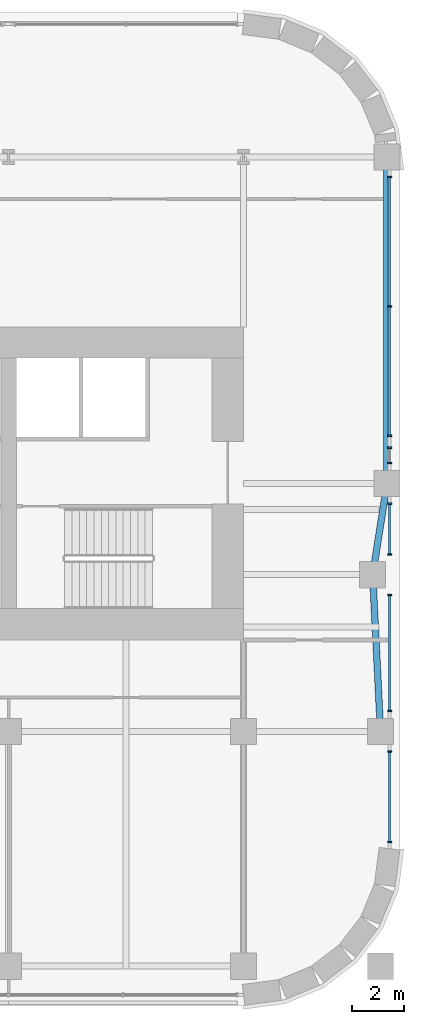
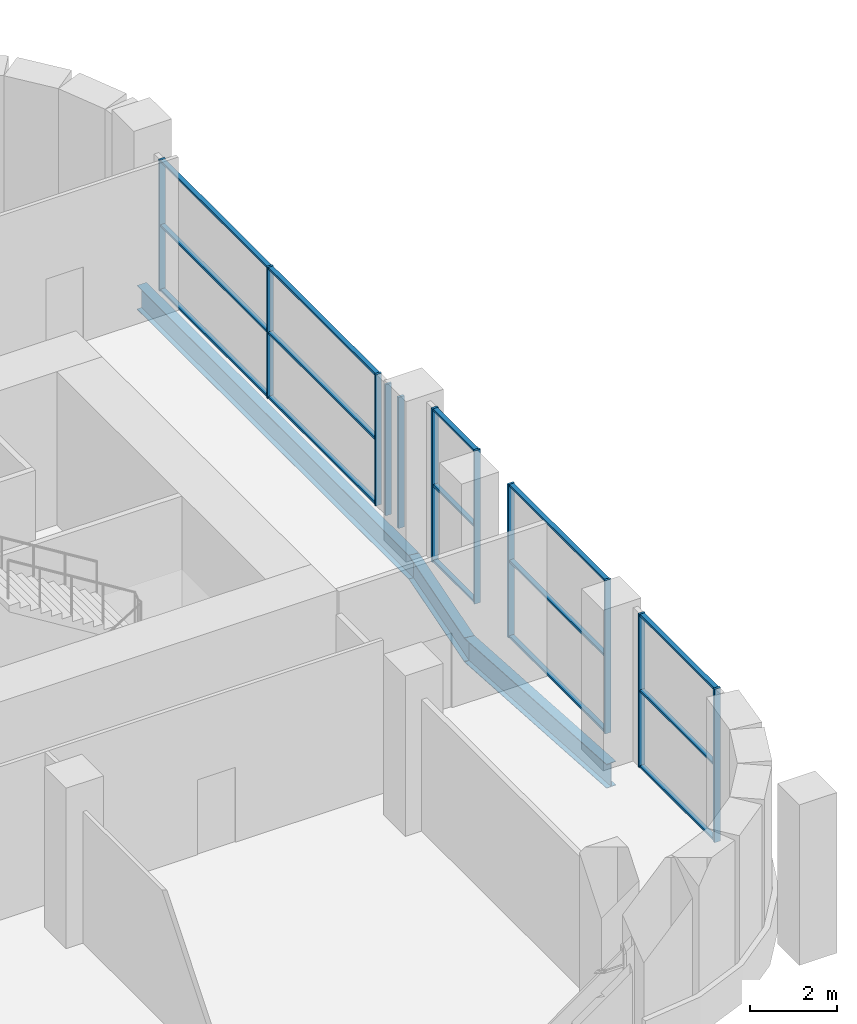
# One storey, part 12 of 24: 26 members, 3 beams, 5 elements without a shape of their own.
"""IFC4 building model written with IfcOpenShell, lengths in metres."""

from ifc_helpers import new_model, si_unit, direction, frame, origin, origin_2d, place, context, subcontext, project, spatial, rectangle, i_section, extrude, material, material_profile, profile_set, type_object, element, aggregate, save


model = new_model("IFC4")

# Units and contexts
model_context = context("Model", 3, precision=1e-05, world=origin(), true_north=direction((0.0, 1.0)))
body_context = subcontext(model_context, "Body", "Model", "MODEL_VIEW")
ifc_project = project(units=[si_unit("LENGTHUNIT", "METRE"), si_unit("AREAUNIT", "SQUARE_METRE"), si_unit("VOLUMEUNIT", "CUBIC_METRE"), si_unit("PLANEANGLEUNIT", "RADIAN"), si_unit("MASSUNIT", "GRAM", prefix="KILO")], contexts=[model_context])

# Site, building, storey
site_placement = place(None, origin())
site = spatial("IfcSite", under=ifc_project, at=site_placement, CompositionType="ELEMENT")
building_placement = place(site_placement, origin())
building = spatial("IfcBuilding", under=site, at=building_placement, Name="Zellij Exchange Tower", CompositionType="ELEMENT")
storey_placement = place(building_placement, frame((0.0, 0.0, 48.0)))
storey = spatial("IfcBuildingStorey", under=building, at=storey_placement, Name="L08", CompositionType="ELEMENT", Elevation=48.0)

# Curtain wall, members
ifc_material_1 = material(Name="Aluminium frame, clear insulating glass", Category="aluminium")
curtain_wall_type = type_object("IfcCurtainWallType", Name="ENV-CW1 Sky-garden glazing", PredefinedType="NOTDEFINED", material=ifc_material_1)
curtain_wall_1_placement = place(storey_placement, origin())
curtain_wall_1 = element("IfcCurtainWall", 1, at=curtain_wall_1_placement, inside=storey, type_object=curtain_wall_type, Name="cw.L08.07a", PredefinedType="NOTDEFINED")
ifc_material_2 = material(Name="Aluminium", Category="aluminium")
ifc_material_profile_1 = material_profile(ifc_material_2, rectangle(XDim=0.06005859375, YDim=0.159912109375, at=origin_2d()), Name="AL 60x160")
ifc_profile_set_1 = profile_set([ifc_material_profile_1], Name="Aluminium")
member_type_1 = type_object("IfcMemberType", Name="ENV-CW1M Mullion 60x160", PredefinedType="MULLION", material=ifc_profile_set_1)
member_1_placement = place(storey_placement, frame((32.60009765625, -21.743896484375, 0.0), z_axis=(0.0, 0.0, 1.0), x_axis=(0.0, 1.0, 0.0)))
member_1 = element("IfcMember", 2, at=member_1_placement, type_object=member_type_1, Name="CW1 mullion 1", PredefinedType="MULLION", context=body_context, shape_type="SweptSolid", body=[
    extrude(rectangle(XDim=0.06005859375, YDim=0.159912109375, at=origin_2d()), origin(), (0.0, 0.0, 1.0), 4.300048828125),
])
member_2_placement = place(storey_placement, frame((32.60009765625, -18.280029296875, 0.0), z_axis=(0.0, 0.0, 1.0), x_axis=(0.0, 1.0, 0.0)))
member_2 = element("IfcMember", 3, at=member_2_placement, type_object=member_type_1, Name="CW1 mullion 2", PredefinedType="MULLION", context=body_context, shape_type="SweptSolid", body=[
    extrude(rectangle(XDim=0.06005859375, YDim=0.159912109375, at=origin_2d()), origin(), (0.0, 0.0, 1.0), 4.300048828125),
])

curtain_wall_2_placement = place(storey_placement, origin())
curtain_wall_2 = element("IfcCurtainWall", 4, at=curtain_wall_2_placement, inside=storey, type_object=curtain_wall_type, Name="cw.L08.07b", PredefinedType="NOTDEFINED")
member_3_placement = place(storey_placement, frame((32.60009765625, -16.719970703125, 0.0), z_axis=(0.0, 0.0, 1.0), x_axis=(0.0, 1.0, 0.0)))
member_3 = element("IfcMember", 5, at=member_3_placement, type_object=member_type_1, Name="CW1 mullion 1", PredefinedType="MULLION", context=body_context, shape_type="SweptSolid", body=[
    extrude(rectangle(XDim=0.06005859375, YDim=0.159912109375, at=origin_2d()), origin(), (0.0, 0.0, 1.0), 4.300048828125),
])
member_4_placement = place(storey_placement, frame((32.60009765625, -12.280029296875, 0.0), z_axis=(0.0, 0.0, 1.0), x_axis=(0.0, 1.0, 0.0)))
member_4 = element("IfcMember", 6, at=member_4_placement, type_object=member_type_1, Name="CW1 mullion 2", PredefinedType="MULLION", context=body_context, shape_type="SweptSolid", body=[
    extrude(rectangle(XDim=0.06005859375, YDim=0.159912109375, at=origin_2d()), origin(), (0.0, 0.0, 1.0), 4.300048828125),
])

curtain_wall_3_placement = place(storey_placement, origin())
curtain_wall_3 = element("IfcCurtainWall", 7, at=curtain_wall_3_placement, inside=storey, type_object=curtain_wall_type, Name="cw.L08.07c", PredefinedType="NOTDEFINED")
member_5_placement = place(storey_placement, frame((32.60009765625, -10.719970703125, 0.0), z_axis=(0.0, 0.0, 1.0), x_axis=(0.0, 1.0, 0.0)))
member_5 = element("IfcMember", 8, at=member_5_placement, type_object=member_type_1, Name="CW1 mullion 1", PredefinedType="MULLION", context=body_context, shape_type="SweptSolid", body=[
    extrude(rectangle(XDim=0.06005859375, YDim=0.159912109375, at=origin_2d()), origin(), (0.0, 0.0, 1.0), 4.300048828125),
])
member_6_placement = place(storey_placement, frame((32.60009765625, -8.780029296875, 0.0), z_axis=(0.0, 0.0, 1.0), x_axis=(0.0, 1.0, 0.0)))
member_6 = element("IfcMember", 9, at=member_6_placement, type_object=member_type_1, Name="CW1 mullion 2", PredefinedType="MULLION", context=body_context, shape_type="SweptSolid", body=[
    extrude(rectangle(XDim=0.06005859375, YDim=0.159912109375, at=origin_2d()), origin(), (0.0, 0.0, 1.0), 4.300048828125),
])

curtain_wall_4_placement = place(storey_placement, origin())
curtain_wall_4 = element("IfcCurtainWall", 10, at=curtain_wall_4_placement, inside=storey, type_object=curtain_wall_type, Name="cw.L08.07d", PredefinedType="NOTDEFINED")
member_7_placement = place(storey_placement, frame((32.60009765625, -7.219970703125, 0.0), z_axis=(0.0, 0.0, 1.0), x_axis=(0.0, 1.0, 0.0)))
member_7 = element("IfcMember", 11, at=member_7_placement, type_object=member_type_1, Name="CW1 mullion 1", PredefinedType="MULLION", context=body_context, shape_type="SweptSolid", body=[
    extrude(rectangle(XDim=0.06005859375, YDim=0.159912109375, at=origin_2d()), origin(), (0.0, 0.0, 1.0), 3.677734375),
])
member_8_placement = place(storey_placement, frame((32.60009765625, -6.63525390625, 0.0), z_axis=(0.0, 0.0, 1.0), x_axis=(0.0, 1.0, 0.0)))
member_8 = element("IfcMember", 12, at=member_8_placement, type_object=member_type_1, Name="CW1 mullion 2", PredefinedType="MULLION", context=body_context, shape_type="SweptSolid", body=[
    extrude(rectangle(XDim=0.06005859375, YDim=0.159912109375, at=origin_2d()), origin(), (0.0, 0.0, 1.0), 3.677734375),
])
aggregate(curtain_wall_4, [member_7, member_8])

curtain_wall_5_placement = place(storey_placement, origin())
curtain_wall_5 = element("IfcCurtainWall", 13, at=curtain_wall_5_placement, inside=storey, type_object=curtain_wall_type, Name="cw.L08.07e", PredefinedType="NOTDEFINED")
member_9_placement = place(storey_placement, frame((32.60009765625, -6.17529296875, 0.0), z_axis=(0.0, 0.0, 1.0), x_axis=(0.0, 1.0, 0.0)))
member_9 = element("IfcMember", 14, at=member_9_placement, type_object=member_type_1, Name="CW1 mullion 1", PredefinedType="MULLION", context=body_context, shape_type="SweptSolid", body=[
    extrude(rectangle(XDim=0.06005859375, YDim=0.159912109375, at=origin_2d()), origin(), (0.0, 0.0, 1.0), 3.677734375),
])
member_10_placement = place(storey_placement, frame((32.60009765625, -1.2158203125, 0.0), z_axis=(0.0, 0.0, 1.0), x_axis=(0.0, 1.0, 0.0)))
member_10 = element("IfcMember", 15, at=member_10_placement, type_object=member_type_1, Name="CW1 mullion 2", PredefinedType="MULLION", context=body_context, shape_type="SweptSolid", body=[
    extrude(rectangle(XDim=0.06005859375, YDim=0.159912109375, at=origin_2d()), origin(), (0.0, 0.0, 1.0), 3.677734375),
])
member_11_placement = place(storey_placement, frame((32.60009765625, 3.743896484375, 0.0), z_axis=(0.0, 0.0, 1.0), x_axis=(0.0, 1.0, 0.0)))
member_11 = element("IfcMember", 16, at=member_11_placement, type_object=member_type_1, Name="CW1 mullion 3", PredefinedType="MULLION", context=body_context, shape_type="SweptSolid", body=[
    extrude(rectangle(XDim=0.06005859375, YDim=0.159912109375, at=origin_2d()), origin(), (0.0, 0.0, 1.0), 3.677734375),
])

# Member
ifc_material_profile_2 = material_profile(ifc_material_2, rectangle(XDim=0.1201171875, YDim=0.06005859375, at=origin_2d()), Name="AL 120x60")
ifc_profile_set_2 = profile_set([ifc_material_profile_2], Name="Aluminium")
member_type_2 = type_object("IfcMemberType", Name="ENV-CW1T Transom 120x60", PredefinedType="USERDEFINED", material=ifc_profile_set_2)
member_12_placement = place(storey_placement, frame((32.60009765625, -21.7138671875, 0.030029296875), z_axis=(0.0, 1.0, 0.0), x_axis=(-1.0, 0.0, 0.0)))
member_12 = element("IfcMember", 17, at=member_12_placement, type_object=member_type_2, Name="CW1 transom 1.1", ObjectType="TRANSOM", PredefinedType="USERDEFINED", context=body_context, shape_type="SweptSolid", body=[
    extrude(rectangle(XDim=0.1201171875, YDim=0.06005859375, at=origin_2d()), origin(), (0.0, 0.0, 1.0), 3.40380859375),
])

member_13_placement = place(storey_placement, frame((32.60009765625, -21.7138671875, 2.14990234375), z_axis=(0.0, 1.0, 0.0), x_axis=(-1.0, 0.0, 0.0)))
member_13 = element("IfcMember", 18, at=member_13_placement, type_object=member_type_2, Name="CW1 transom 1.2", ObjectType="TRANSOM", PredefinedType="USERDEFINED", context=body_context, shape_type="SweptSolid", body=[
    extrude(rectangle(XDim=0.1201171875, YDim=0.06005859375, at=origin_2d()), origin(), (0.0, 0.0, 1.0), 3.40380859375),
])

member_14_placement = place(storey_placement, frame((32.60009765625, -21.7138671875, 4.27001953125), z_axis=(0.0, 1.0, 0.0), x_axis=(-1.0, 0.0, 0.0)))
member_14 = element("IfcMember", 19, at=member_14_placement, type_object=member_type_2, Name="CW1 transom 1.3", ObjectType="TRANSOM", PredefinedType="USERDEFINED", context=body_context, shape_type="SweptSolid", body=[
    extrude(rectangle(XDim=0.1201171875, YDim=0.06005859375, at=origin_2d()), origin(), (0.0, 0.0, 1.0), 3.40380859375),
])

aggregate(curtain_wall_1, [member_1, member_2, member_12, member_13, member_14])

member_15_placement = place(storey_placement, frame((32.60009765625, -16.68994140625, 0.030029296875), z_axis=(0.0, 1.0, 0.0), x_axis=(-1.0, 0.0, 0.0)))
member_15 = element("IfcMember", 20, at=member_15_placement, type_object=member_type_2, Name="CW1 transom 1.1", ObjectType="TRANSOM", PredefinedType="USERDEFINED", context=body_context, shape_type="SweptSolid", body=[
    extrude(rectangle(XDim=0.1201171875, YDim=0.06005859375, at=origin_2d()), origin(), (0.0, 0.0, 1.0), 4.3798828125),
])

member_16_placement = place(storey_placement, frame((32.60009765625, -16.68994140625, 2.14990234375), z_axis=(0.0, 1.0, 0.0), x_axis=(-1.0, 0.0, 0.0)))
member_16 = element("IfcMember", 21, at=member_16_placement, type_object=member_type_2, Name="CW1 transom 1.2", ObjectType="TRANSOM", PredefinedType="USERDEFINED", context=body_context, shape_type="SweptSolid", body=[
    extrude(rectangle(XDim=0.1201171875, YDim=0.06005859375, at=origin_2d()), origin(), (0.0, 0.0, 1.0), 4.3798828125),
])

member_17_placement = place(storey_placement, frame((32.60009765625, -16.68994140625, 4.27001953125), z_axis=(0.0, 1.0, 0.0), x_axis=(-1.0, 0.0, 0.0)))
member_17 = element("IfcMember", 22, at=member_17_placement, type_object=member_type_2, Name="CW1 transom 1.3", ObjectType="TRANSOM", PredefinedType="USERDEFINED", context=body_context, shape_type="SweptSolid", body=[
    extrude(rectangle(XDim=0.1201171875, YDim=0.06005859375, at=origin_2d()), origin(), (0.0, 0.0, 1.0), 4.3798828125),
])

aggregate(curtain_wall_2, [member_3, member_4, member_15, member_16, member_17])

member_18_placement = place(storey_placement, frame((32.60009765625, -10.68994140625, 0.030029296875), z_axis=(0.0, 1.0, 0.0), x_axis=(-1.0, 0.0, 0.0)))
member_18 = element("IfcMember", 23, at=member_18_placement, type_object=member_type_2, Name="CW1 transom 1.1", ObjectType="TRANSOM", PredefinedType="USERDEFINED", context=body_context, shape_type="SweptSolid", body=[
    extrude(rectangle(XDim=0.1201171875, YDim=0.06005859375, at=origin_2d()), origin(), (0.0, 0.0, 1.0), 1.8798828125),
])

member_19_placement = place(storey_placement, frame((32.60009765625, -10.68994140625, 2.14990234375), z_axis=(0.0, 1.0, 0.0), x_axis=(-1.0, 0.0, 0.0)))
member_19 = element("IfcMember", 24, at=member_19_placement, type_object=member_type_2, Name="CW1 transom 1.2", ObjectType="TRANSOM", PredefinedType="USERDEFINED", context=body_context, shape_type="SweptSolid", body=[
    extrude(rectangle(XDim=0.1201171875, YDim=0.06005859375, at=origin_2d()), origin(), (0.0, 0.0, 1.0), 1.8798828125),
])

member_20_placement = place(storey_placement, frame((32.60009765625, -10.68994140625, 4.27001953125), z_axis=(0.0, 1.0, 0.0), x_axis=(-1.0, 0.0, 0.0)))
member_20 = element("IfcMember", 25, at=member_20_placement, type_object=member_type_2, Name="CW1 transom 1.3", ObjectType="TRANSOM", PredefinedType="USERDEFINED", context=body_context, shape_type="SweptSolid", body=[
    extrude(rectangle(XDim=0.1201171875, YDim=0.06005859375, at=origin_2d()), origin(), (0.0, 0.0, 1.0), 1.8798828125),
])

aggregate(curtain_wall_3, [member_5, member_6, member_18, member_19, member_20])

member_21_placement = place(storey_placement, frame((32.60009765625, -6.145263671875, 0.030029296875), z_axis=(0.0, 1.0, 0.0), x_axis=(-1.0, 0.0, 0.0)))
member_21 = element("IfcMember", 26, at=member_21_placement, type_object=member_type_2, Name="CW1 transom 1.1", ObjectType="TRANSOM", PredefinedType="USERDEFINED", context=body_context, shape_type="SweptSolid", body=[
    extrude(rectangle(XDim=0.1201171875, YDim=0.06005859375, at=origin_2d()), origin(), (0.0, 0.0, 1.0), 4.8994140625),
])

member_22_placement = place(storey_placement, frame((32.60009765625, -6.145263671875, 1.8388671875), z_axis=(0.0, 1.0, 0.0), x_axis=(-1.0, 0.0, 0.0)))
member_22 = element("IfcMember", 27, at=member_22_placement, type_object=member_type_2, Name="CW1 transom 1.2", ObjectType="TRANSOM", PredefinedType="USERDEFINED", context=body_context, shape_type="SweptSolid", body=[
    extrude(rectangle(XDim=0.1201171875, YDim=0.06005859375, at=origin_2d()), origin(), (0.0, 0.0, 1.0), 4.8994140625),
])

member_23_placement = place(storey_placement, frame((32.60009765625, -6.145263671875, 3.647705078125), z_axis=(0.0, 1.0, 0.0), x_axis=(-1.0, 0.0, 0.0)))
member_23 = element("IfcMember", 28, at=member_23_placement, type_object=member_type_2, Name="CW1 transom 1.3", ObjectType="TRANSOM", PredefinedType="USERDEFINED", context=body_context, shape_type="SweptSolid", body=[
    extrude(rectangle(XDim=0.1201171875, YDim=0.06005859375, at=origin_2d()), origin(), (0.0, 0.0, 1.0), 4.8994140625),
])

member_24_placement = place(storey_placement, frame((32.60009765625, -1.185791015625, 0.030029296875), z_axis=(0.0, 1.0, 0.0), x_axis=(-1.0, 0.0, 0.0)))
member_24 = element("IfcMember", 29, at=member_24_placement, type_object=member_type_2, Name="CW1 transom 2.1", ObjectType="TRANSOM", PredefinedType="USERDEFINED", context=body_context, shape_type="SweptSolid", body=[
    extrude(rectangle(XDim=0.1201171875, YDim=0.06005859375, at=origin_2d()), origin(), (0.0, 0.0, 1.0), 4.899658203125),
])

member_25_placement = place(storey_placement, frame((32.60009765625, -1.185791015625, 1.8388671875), z_axis=(0.0, 1.0, 0.0), x_axis=(-1.0, 0.0, 0.0)))
member_25 = element("IfcMember", 30, at=member_25_placement, type_object=member_type_2, Name="CW1 transom 2.2", ObjectType="TRANSOM", PredefinedType="USERDEFINED", context=body_context, shape_type="SweptSolid", body=[
    extrude(rectangle(XDim=0.1201171875, YDim=0.06005859375, at=origin_2d()), origin(), (0.0, 0.0, 1.0), 4.899658203125),
])

member_26_placement = place(storey_placement, frame((32.60009765625, -1.185791015625, 3.647705078125), z_axis=(0.0, 1.0, 0.0), x_axis=(-1.0, 0.0, 0.0)))
member_26 = element("IfcMember", 31, at=member_26_placement, type_object=member_type_2, Name="CW1 transom 2.3", ObjectType="TRANSOM", PredefinedType="USERDEFINED", context=body_context, shape_type="SweptSolid", body=[
    extrude(rectangle(XDim=0.1201171875, YDim=0.06005859375, at=origin_2d()), origin(), (0.0, 0.0, 1.0), 4.899658203125),
])

aggregate(curtain_wall_5, [member_9, member_10, member_11, member_21, member_22, member_23, member_24, member_25, member_26])

# Beams
ifc_material_3 = material(Name="Structural steel ASTM A992 Gr 50", Category="steel")
ifc_material_profile_3 = material_profile(ifc_material_3, i_section(OverallWidth=0.25390625, OverallDepth=0.67822265625, WebThickness=0.01171875, FlangeThickness=0.016357421875, at=origin_2d()), Name="W27x84")
ifc_profile_set_3 = profile_set([ifc_material_profile_3], Name="Structural steel ASTM A992 Gr 50")
beam_type = type_object("IfcBeamType", Name="STR-EDGE GIRDER W27x84", PredefinedType="BEAM", material=ifc_profile_set_3)
beam_1_placement = place(storey_placement, frame((32.25, -17.5, -0.589111328125), z_axis=(-0.049945724537, 0.998751933465, 0.0), x_axis=(-0.998751933465, -0.049945724537, 0.0)))
element("IfcBeam", 32, at=beam_1_placement, inside=storey, type_object=beam_type, Name="EB7", PredefinedType="BEAM", context=body_context, shape_type="SweptSolid", body=[
    extrude(i_section(OverallWidth=0.25390625, OverallDepth=0.67822265625, WebThickness=0.01171875, FlangeThickness=0.016357421875, at=origin_2d()), origin(), (0.0, 0.0, 1.0), 6.007568359375),
])
beam_2_placement = place(storey_placement, frame((31.949951171875, -11.5, -0.589111328125), z_axis=(0.155251283593, 0.987875011802, 0.0), x_axis=(-0.987875011802, 0.155251283593, 0.0)))
element("IfcBeam", 33, at=beam_2_placement, inside=storey, type_object=beam_type, Name="EB7", PredefinedType="BEAM", context=body_context, shape_type="SweptSolid", body=[
    extrude(i_section(OverallWidth=0.25390625, OverallDepth=0.67822265625, WebThickness=0.01171875, FlangeThickness=0.016357421875, at=origin_2d()), origin(), (0.0, 0.0, 1.0), 3.54296875),
])
beam_3_placement = place(storey_placement, frame((32.5, -8.0, -0.589111328125), z_axis=(0.0, 1.0, 0.0), x_axis=(-1.0, 0.0, 0.0)))
element("IfcBeam", 34, at=beam_3_placement, inside=storey, type_object=beam_type, Name="EB7", PredefinedType="BEAM", context=body_context, shape_type="SweptSolid", body=[
    extrude(i_section(OverallWidth=0.25390625, OverallDepth=0.67822265625, WebThickness=0.01171875, FlangeThickness=0.016357421875, at=origin_2d()), origin(), (0.0, 0.0, 1.0), 12.5),
])

save(model, "model.ifc")
